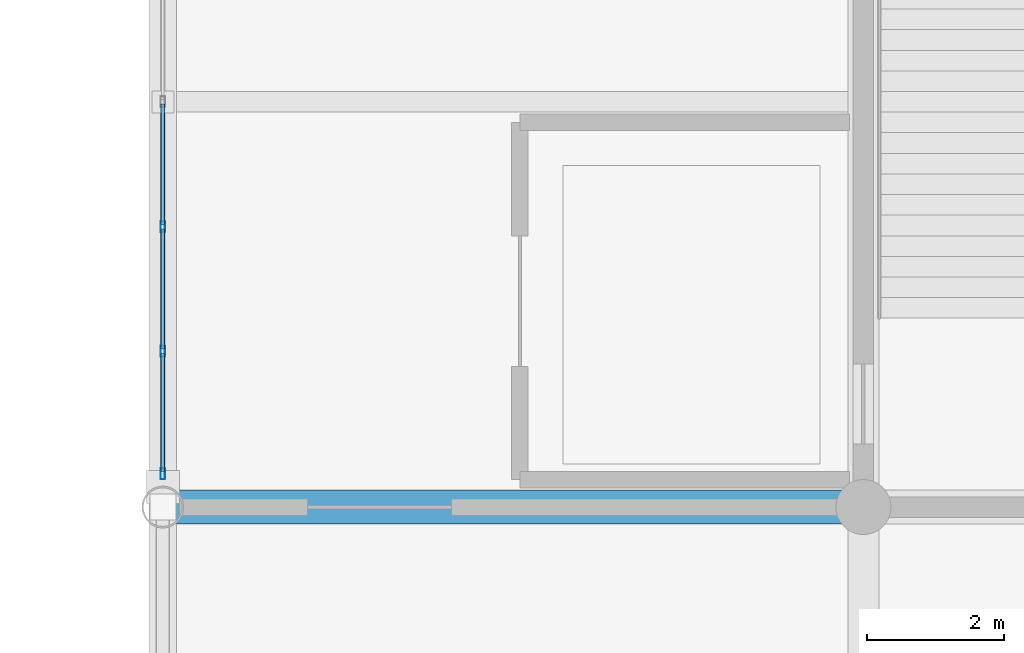
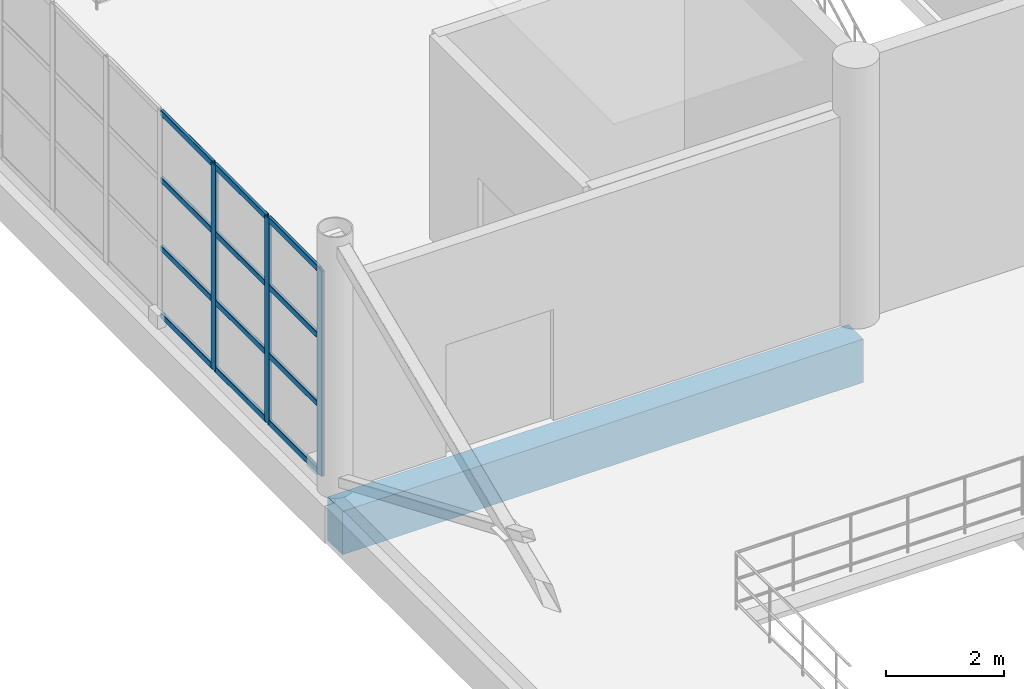
# One storey, part 49 of 175: 15 members, 1 beam, 1 element without a shape of its own.
"""IFC4 building model written with IfcOpenShell, lengths in metres."""

from ifc_helpers import new_model, si_unit, direction, frame, origin, origin_2d, place, context, subcontext, project, spatial, rectangle, hollow_rectangle, extrude, material, material_profile, profile_set, type_object, element, aggregate, save


model = new_model("IFC4")

# Units and contexts
model_context = context("Model", 3, precision=1e-05, world=origin(), true_north=direction((0.0, 1.0)))
body_context = subcontext(model_context, "Body", "Model", "MODEL_VIEW")
ifc_project = project(units=[si_unit("LENGTHUNIT", "METRE"), si_unit("AREAUNIT", "SQUARE_METRE"), si_unit("VOLUMEUNIT", "CUBIC_METRE"), si_unit("PLANEANGLEUNIT", "RADIAN"), si_unit("MASSUNIT", "GRAM", prefix="KILO")], contexts=[model_context])

# Site, building, storey
site_placement = place(None, origin())
site = spatial("IfcSite", under=ifc_project, at=site_placement, CompositionType="ELEMENT")
building_placement = place(site_placement, origin())
building = spatial("IfcBuilding", under=site, at=building_placement, Name="Brelvane Convention Centre", CompositionType="ELEMENT")
storey_placement = place(building_placement, frame((0.0, 0.0, 5.39990234375)))
storey = spatial("IfcBuildingStorey", under=building, at=storey_placement, Name="L01", CompositionType="ELEMENT", Elevation=5.39990234375)

# Curtain wall, members
ifc_material_1 = material(Name="Anodised Aluminium Alloy 6063-T6", Category="aluminium")
curtain_wall_type = type_object("IfcCurtainWallType", Name="Curtain Wall CW-CONC", PredefinedType="USERDEFINED", material=ifc_material_1)
curtain_wall_placement = place(storey_placement, origin())
curtain_wall = element("IfcCurtainWall", 1, at=curtain_wall_placement, inside=storey, type_object=curtain_wall_type, Name="Curtain Wall CW-CONC L01-GAL-ATRIUM-W-1", ObjectType="UNITISED", PredefinedType="USERDEFINED")
ifc_material_2 = material(Name="Anodised Aluminium Alloy 6063-T6", Category="aluminium")
ifc_material_profile_1 = material_profile(ifc_material_2, hollow_rectangle(XDim=0.06494140625, YDim=0.159912109375, WallThickness=0.00390625, InnerFilletRadius=0.00390625, OuterFilletRadius=0.008056640625, at=origin_2d()), Name="ALU-M 160x65x4.0")
ifc_profile_set_1 = profile_set([ifc_material_profile_1], Name="Anodised Aluminium Alloy 6063-T6")
member_type_1 = type_object("IfcMemberType", Name="Curtain Mullion CW-M3", PredefinedType="MULLION", material=ifc_profile_set_1)
member_1_placement = place(storey_placement, frame((142.800048828125, 41.08251953125, 0.0), z_axis=(0.0, 0.0, 1.0), x_axis=(-1.0, 0.0, 0.0)))
member_1 = element("IfcMember", 2, at=member_1_placement, type_object=member_type_1, Name="CW-CONC mullion 1", PredefinedType="MULLION", context=body_context, shape_type="SweptSolid", body=[
    extrude(hollow_rectangle(XDim=0.06494140625, YDim=0.159912109375, WallThickness=0.00390625, InnerFilletRadius=0.00390625, OuterFilletRadius=0.008056640625, at=origin_2d()), origin(), (0.0, 0.0, 1.0), 4.25),
])
member_2_placement = place(storey_placement, frame((142.800048828125, 42.86669921875, 0.0), z_axis=(0.0, 0.0, 1.0), x_axis=(-1.0, 0.0, 0.0)))
member_2 = element("IfcMember", 3, at=member_2_placement, type_object=member_type_1, Name="CW-CONC mullion 2", PredefinedType="MULLION", context=body_context, shape_type="SweptSolid", body=[
    extrude(hollow_rectangle(XDim=0.06494140625, YDim=0.159912109375, WallThickness=0.00390625, InnerFilletRadius=0.00390625, OuterFilletRadius=0.008056640625, at=origin_2d()), origin(), (0.0, 0.0, 1.0), 4.25),
])
member_3_placement = place(storey_placement, frame((142.800048828125, 44.683349609375, 0.0), z_axis=(0.0, 0.0, 1.0), x_axis=(-1.0, 0.0, 0.0)))
member_3 = element("IfcMember", 4, at=member_3_placement, type_object=member_type_1, Name="CW-CONC mullion 3", PredefinedType="MULLION", context=body_context, shape_type="SweptSolid", body=[
    extrude(hollow_rectangle(XDim=0.06494140625, YDim=0.159912109375, WallThickness=0.00390625, InnerFilletRadius=0.00390625, OuterFilletRadius=0.008056640625, at=origin_2d()), origin(), (0.0, 0.0, 1.0), 4.25),
])
ifc_material_3 = material(Name="Anodised Aluminium Alloy 6063-T6", Category="aluminium")
ifc_material_profile_2 = material_profile(ifc_material_3, hollow_rectangle(XDim=0.06005859375, YDim=0.1201171875, WallThickness=0.00390625, InnerFilletRadius=0.00390625, OuterFilletRadius=0.008056640625, at=origin_2d()), Name="ALU-T 120x60x4.0")
ifc_profile_set_2 = profile_set([ifc_material_profile_2], Name="Anodised Aluminium Alloy 6063-T6")
member_type_2 = type_object("IfcMemberType", Name="Curtain Transom CW-T3", PredefinedType="USERDEFINED", material=ifc_profile_set_2)
member_4_placement = place(storey_placement, frame((142.800048828125, 41.114990234375, 0.030029296875), z_axis=(0.0, 1.0, 0.0), x_axis=(-1.0, 0.0, 0.0)))
member_4 = element("IfcMember", 5, at=member_4_placement, type_object=member_type_2, Name="CW-CONC transom 1.1", ObjectType="TRANSOM", PredefinedType="USERDEFINED", context=body_context, shape_type="SweptSolid", body=[
    extrude(hollow_rectangle(XDim=0.06005859375, YDim=0.1201171875, WallThickness=0.00390625, InnerFilletRadius=0.00390625, OuterFilletRadius=0.008056640625, at=origin_2d()), origin(), (0.0, 0.0, 1.0), 1.71923828125),
])
member_5_placement = place(storey_placement, frame((142.800048828125, 41.114990234375, 1.416748046875), z_axis=(0.0, 1.0, 0.0), x_axis=(-1.0, 0.0, 0.0)))
member_5 = element("IfcMember", 6, at=member_5_placement, type_object=member_type_2, Name="CW-CONC transom 1.2", ObjectType="TRANSOM", PredefinedType="USERDEFINED", context=body_context, shape_type="SweptSolid", body=[
    extrude(hollow_rectangle(XDim=0.06005859375, YDim=0.1201171875, WallThickness=0.00390625, InnerFilletRadius=0.00390625, OuterFilletRadius=0.008056640625, at=origin_2d()), origin(), (0.0, 0.0, 1.0), 1.71923828125),
])
member_6_placement = place(storey_placement, frame((142.800048828125, 41.114990234375, 2.83349609375), z_axis=(0.0, 1.0, 0.0), x_axis=(-1.0, 0.0, 0.0)))
member_6 = element("IfcMember", 7, at=member_6_placement, type_object=member_type_2, Name="CW-CONC transom 1.3", ObjectType="TRANSOM", PredefinedType="USERDEFINED", context=body_context, shape_type="SweptSolid", body=[
    extrude(hollow_rectangle(XDim=0.06005859375, YDim=0.1201171875, WallThickness=0.00390625, InnerFilletRadius=0.00390625, OuterFilletRadius=0.008056640625, at=origin_2d()), origin(), (0.0, 0.0, 1.0), 1.71923828125),
])
member_7_placement = place(storey_placement, frame((142.800048828125, 41.114990234375, 4.22021484375), z_axis=(0.0, 1.0, 0.0), x_axis=(-1.0, 0.0, 0.0)))
member_7 = element("IfcMember", 8, at=member_7_placement, type_object=member_type_2, Name="CW-CONC transom 1.4", ObjectType="TRANSOM", PredefinedType="USERDEFINED", context=body_context, shape_type="SweptSolid", body=[
    extrude(hollow_rectangle(XDim=0.06005859375, YDim=0.1201171875, WallThickness=0.00390625, InnerFilletRadius=0.00390625, OuterFilletRadius=0.008056640625, at=origin_2d()), origin(), (0.0, 0.0, 1.0), 1.71923828125),
])
member_8_placement = place(storey_placement, frame((142.800048828125, 42.899169921875, 0.030029296875), z_axis=(0.0, 1.0, 0.0), x_axis=(-1.0, 0.0, 0.0)))
member_8 = element("IfcMember", 9, at=member_8_placement, type_object=member_type_2, Name="CW-CONC transom 2.1", ObjectType="TRANSOM", PredefinedType="USERDEFINED", context=body_context, shape_type="SweptSolid", body=[
    extrude(hollow_rectangle(XDim=0.06005859375, YDim=0.1201171875, WallThickness=0.00390625, InnerFilletRadius=0.00390625, OuterFilletRadius=0.008056640625, at=origin_2d()), origin(), (0.0, 0.0, 1.0), 1.751708984375),
])
member_9_placement = place(storey_placement, frame((142.800048828125, 42.899169921875, 1.416748046875), z_axis=(0.0, 1.0, 0.0), x_axis=(-1.0, 0.0, 0.0)))
member_9 = element("IfcMember", 10, at=member_9_placement, type_object=member_type_2, Name="CW-CONC transom 2.2", ObjectType="TRANSOM", PredefinedType="USERDEFINED", context=body_context, shape_type="SweptSolid", body=[
    extrude(hollow_rectangle(XDim=0.06005859375, YDim=0.1201171875, WallThickness=0.00390625, InnerFilletRadius=0.00390625, OuterFilletRadius=0.008056640625, at=origin_2d()), origin(), (0.0, 0.0, 1.0), 1.751708984375),
])
member_10_placement = place(storey_placement, frame((142.800048828125, 42.899169921875, 2.83349609375), z_axis=(0.0, 1.0, 0.0), x_axis=(-1.0, 0.0, 0.0)))
member_10 = element("IfcMember", 11, at=member_10_placement, type_object=member_type_2, Name="CW-CONC transom 2.3", ObjectType="TRANSOM", PredefinedType="USERDEFINED", context=body_context, shape_type="SweptSolid", body=[
    extrude(hollow_rectangle(XDim=0.06005859375, YDim=0.1201171875, WallThickness=0.00390625, InnerFilletRadius=0.00390625, OuterFilletRadius=0.008056640625, at=origin_2d()), origin(), (0.0, 0.0, 1.0), 1.751708984375),
])
member_11_placement = place(storey_placement, frame((142.800048828125, 42.899169921875, 4.22021484375), z_axis=(0.0, 1.0, 0.0), x_axis=(-1.0, 0.0, 0.0)))
member_11 = element("IfcMember", 12, at=member_11_placement, type_object=member_type_2, Name="CW-CONC transom 2.4", ObjectType="TRANSOM", PredefinedType="USERDEFINED", context=body_context, shape_type="SweptSolid", body=[
    extrude(hollow_rectangle(XDim=0.06005859375, YDim=0.1201171875, WallThickness=0.00390625, InnerFilletRadius=0.00390625, OuterFilletRadius=0.008056640625, at=origin_2d()), origin(), (0.0, 0.0, 1.0), 1.751708984375),
])
member_12_placement = place(storey_placement, frame((142.800048828125, 44.7158203125, 0.030029296875), z_axis=(0.0, 1.0, 0.0), x_axis=(-1.0, 0.0, 0.0)))
member_12 = element("IfcMember", 13, at=member_12_placement, type_object=member_type_2, Name="CW-CONC transom 3.1", ObjectType="TRANSOM", PredefinedType="USERDEFINED", context=body_context, shape_type="SweptSolid", body=[
    extrude(hollow_rectangle(XDim=0.06005859375, YDim=0.1201171875, WallThickness=0.00390625, InnerFilletRadius=0.00390625, OuterFilletRadius=0.008056640625, at=origin_2d()), origin(), (0.0, 0.0, 1.0), 1.751708984375),
])
member_13_placement = place(storey_placement, frame((142.800048828125, 44.7158203125, 1.416748046875), z_axis=(0.0, 1.0, 0.0), x_axis=(-1.0, 0.0, 0.0)))
member_13 = element("IfcMember", 14, at=member_13_placement, type_object=member_type_2, Name="CW-CONC transom 3.2", ObjectType="TRANSOM", PredefinedType="USERDEFINED", context=body_context, shape_type="SweptSolid", body=[
    extrude(hollow_rectangle(XDim=0.06005859375, YDim=0.1201171875, WallThickness=0.00390625, InnerFilletRadius=0.00390625, OuterFilletRadius=0.008056640625, at=origin_2d()), origin(), (0.0, 0.0, 1.0), 1.751708984375),
])
member_14_placement = place(storey_placement, frame((142.800048828125, 44.7158203125, 2.83349609375), z_axis=(0.0, 1.0, 0.0), x_axis=(-1.0, 0.0, 0.0)))
member_14 = element("IfcMember", 15, at=member_14_placement, type_object=member_type_2, Name="CW-CONC transom 3.3", ObjectType="TRANSOM", PredefinedType="USERDEFINED", context=body_context, shape_type="SweptSolid", body=[
    extrude(hollow_rectangle(XDim=0.06005859375, YDim=0.1201171875, WallThickness=0.00390625, InnerFilletRadius=0.00390625, OuterFilletRadius=0.008056640625, at=origin_2d()), origin(), (0.0, 0.0, 1.0), 1.751708984375),
])
member_15_placement = place(storey_placement, frame((142.800048828125, 44.7158203125, 4.22021484375), z_axis=(0.0, 1.0, 0.0), x_axis=(-1.0, 0.0, 0.0)))
member_15 = element("IfcMember", 16, at=member_15_placement, type_object=member_type_2, Name="CW-CONC transom 3.4", ObjectType="TRANSOM", PredefinedType="USERDEFINED", context=body_context, shape_type="SweptSolid", body=[
    extrude(hollow_rectangle(XDim=0.06005859375, YDim=0.1201171875, WallThickness=0.00390625, InnerFilletRadius=0.00390625, OuterFilletRadius=0.008056640625, at=origin_2d()), origin(), (0.0, 0.0, 1.0), 1.751708984375),
])
aggregate(curtain_wall, [member_1, member_2, member_3, member_4, member_5, member_6, member_7, member_8, member_9, member_10, member_11, member_12, member_13, member_14, member_15])

# Beam
ifc_material_4 = material(Name="Concrete M40", Category="concrete")
ifc_material_profile_3 = material_profile(ifc_material_4, rectangle(XDim=0.5, YDim=0.89990234375, at=origin_2d()), Name="RC 500x900")
ifc_profile_set_3 = profile_set([ifc_material_profile_3], Name="Concrete M40")
beam_type = type_object("IfcBeamType", Name="RC Beam B-RC4 (RC 500x900)", PredefinedType="BEAM", material=ifc_profile_set_3)
beam_placement = place(storey_placement, frame((142.800048828125, 40.60009765625, -0.77978515625), z_axis=(1.0, 0.0, 0.0), x_axis=(0.0, 1.0, 0.0)))
element("IfcBeam", 17, at=beam_placement, inside=storey, type_object=beam_type, Name="L01 Beam 15-16/E", PredefinedType="BEAM", context=body_context, shape_type="SweptSolid", body=[
    extrude(rectangle(XDim=0.5, YDim=0.89990234375, at=origin_2d()), origin(), (0.0, 0.0, 1.0), 10.199951171875),
])

save(model, "model.ifc")
